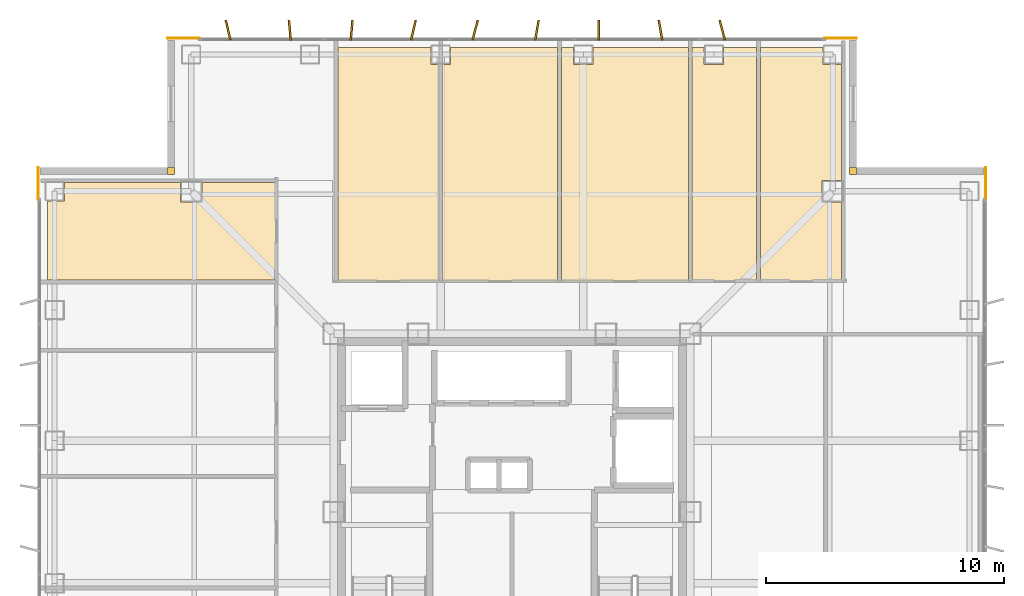
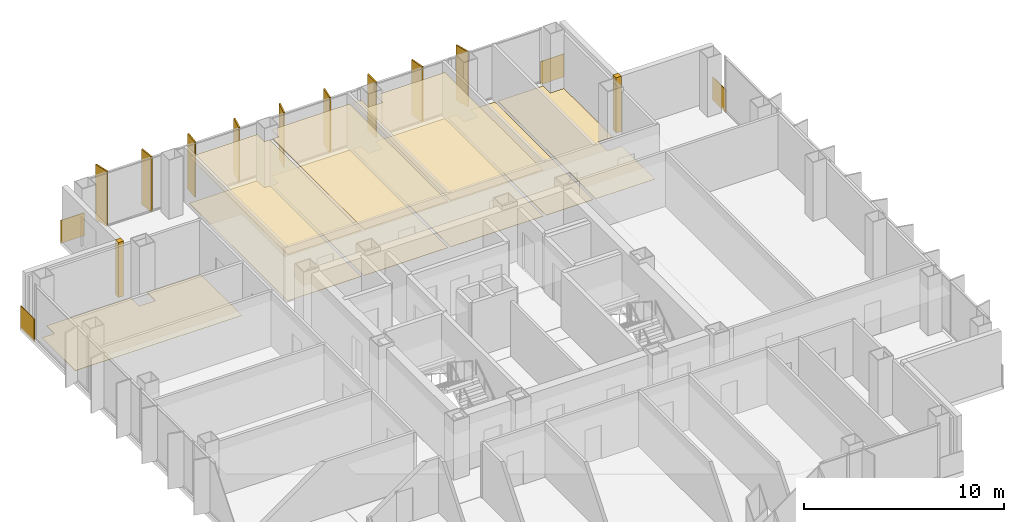
# One storey, part 18 of 18: 15 coverings, 9 shading devices.
"""IFC4 building model written with IfcOpenShell, lengths in metres."""

import ifcopenshell
import ifcopenshell.guid

model = None  # the IFC model being written
_history = None  # IfcOwnerHistory: only IFC2X3 demands one
_inside = {}  # id of a spatial element -> (the spatial element, [elements in it])
_under = {}  # id of a project, library or spatial element -> (it, [spatial elements below it])
_declared = {}  # id of a project -> (the project, [libraries it declares])
_typed = {}  # id of a type object -> (the type object, [elements of that type])
_made_of = {}  # id of a material, layer set ... -> (it, [elements and type objects made of it])


def new_model(schema):
    """Start an empty IFC model of exactly this schema.

    Asked for "IFC4X3", IfcOpenShell would pick the latest addendum, in which some entities
    have other attributes; the version numbers below select the first issue.
    IFC2X3 requires an IfcOwnerHistory on every rooted entity: one is made here for all.
    """
    global model, _history
    if schema == "IFC4X3":
        model = ifcopenshell.file(schema_version=(4, 3, 0, 0))
    else:
        model = ifcopenshell.file(schema=schema)
    _inside.clear()
    _under.clear()
    _declared.clear()
    _typed.clear()
    _made_of.clear()
    _history = None
    if model.schema == "IFC2X3":
        org = make("IfcOrganization", Name="unknown")
        user = make(
            "IfcPersonAndOrganization",
            ThePerson=make("IfcPerson", FamilyName="unknown"),
            TheOrganization=org,
        )
        app = make(
            "IfcApplication",
            ApplicationDeveloper=org,
            Version="unknown",
            ApplicationFullName="unknown",
            ApplicationIdentifier="unknown",
        )
        _history = make(
            "IfcOwnerHistory",
            OwningUser=user,
            OwningApplication=app,
            ChangeAction="ADDED",
            CreationDate=0,
        )
    return model


def make(cls, **values):
    """One entity of the class cls with the attributes given. An attribute that is None is left unset."""
    return model.create_entity(
        cls, **{name: value for name, value in values.items() if value is not None}
    )


def rooted(cls, **values):
    """An entity with a GlobalId (a new one), such as an element, a storey or a relation."""
    return make(cls, GlobalId=ifcopenshell.guid.new(), OwnerHistory=_history, **values)


def si_unit(unit_type, name, prefix=None):
    """IfcSIUnit, for example si_unit("LENGTHUNIT", "METRE", prefix="MILLI")."""
    return make("IfcSIUnit", UnitType=unit_type, Prefix=prefix, Name=name)


def assignment(units):
    """IfcUnitAssignment: the units of a project."""
    return None if units is None else make("IfcUnitAssignment", Units=units)


def point(xyz):
    """IfcCartesianPoint."""
    return None if xyz is None else make("IfcCartesianPoint", Coordinates=xyz)


def direction(xyz):
    """IfcDirection."""
    return None if xyz is None else make("IfcDirection", DirectionRatios=xyz)


def frame(location, z_axis=None, x_axis=None):
    """IfcAxis2Placement3D, a coordinate frame: its origin and axes. An axis left out is left unset."""
    return make(
        "IfcAxis2Placement3D",
        Location=point(location),
        Axis=direction(z_axis),
        RefDirection=direction(x_axis),
    )


def frame_2d(location, x_axis=None):
    """IfcAxis2Placement2D, a coordinate frame in the plane: its origin and x axis."""
    return make(
        "IfcAxis2Placement2D", Location=point(location), RefDirection=direction(x_axis)
    )


def origin():
    """The frame at (0, 0, 0) with its axes left unset."""
    return frame((0.0, 0.0, 0.0))


def origin_2d():
    """The frame at (0, 0) in the plane with its x axis left unset."""
    return frame_2d((0.0, 0.0))


def place(relative_to, where):
    """IfcLocalPlacement: puts the frame where relative to a parent placement (None: the world)."""
    return make(
        "IfcLocalPlacement", PlacementRelTo=relative_to, RelativePlacement=where
    )


def context(
    kind, dimensions, precision=None, world=None, true_north=None, identifier=None
):
    """IfcGeometricRepresentationContext, for example the 3D "Model" context."""
    return make(
        "IfcGeometricRepresentationContext",
        ContextIdentifier=identifier,
        ContextType=kind,
        CoordinateSpaceDimension=dimensions,
        Precision=precision,
        WorldCoordinateSystem=world,
        TrueNorth=true_north,
    )


def subcontext(parent, identifier, kind, view, scale=None):
    """IfcGeometricRepresentationSubContext, for example "Body" below "Model"."""
    return make(
        "IfcGeometricRepresentationSubContext",
        ContextIdentifier=identifier,
        ContextType=kind,
        ParentContext=parent,
        TargetScale=scale,
        TargetView=view,
    )


def project(units=None, contexts=None):
    """IfcProject with its units and contexts."""
    return rooted(
        "IfcProject",
        Name="project",
        RepresentationContexts=contexts,
        UnitsInContext=assignment(units),
    )


def spatial(cls, under=None, at=None, **own):
    """A site, building, storey or space (cls), placed at a placement, below another one or the project."""
    s = rooted(cls, ObjectPlacement=at, **own)
    if under is not None:
        _under.setdefault(under.id(), (under, []))[1].append(s)
    return s


def polyline(points):
    """IfcPolyline through the points."""
    return make("IfcPolyline", Points=[point(p) for p in points])


def profile(cls, at=None, kind="AREA", **sizes):
    """A parametric profile (cls). Its sizes go by their IFC names, for example OverallWidth=200.0."""
    return make(cls, ProfileType=kind, Position=at, **sizes)


def rectangle(**sizes):
    """IfcRectangleProfileDef."""
    return profile("IfcRectangleProfileDef", **sizes)


def outline(outer, holes=None, kind="AREA"):
    """IfcArbitraryClosedProfileDef: a profile drawn as a closed curve; with holes, ...WithVoids."""
    if holes is None:
        return make("IfcArbitraryClosedProfileDef", ProfileType=kind, OuterCurve=outer)
    return make(
        "IfcArbitraryProfileDefWithVoids",
        ProfileType=kind,
        OuterCurve=outer,
        InnerCurves=holes,
    )


def extrude(swept, where, along, depth):
    """IfcExtrudedAreaSolid: the profile swept, set in the frame where, extruded along a direction by depth."""
    return make(
        "IfcExtrudedAreaSolid",
        SweptArea=swept,
        Position=where,
        ExtrudedDirection=direction(along),
        Depth=depth,
    )


def shape(context_of_items, identifier, shape_type, items):
    """IfcShapeRepresentation: the items that make up one representation, for example the "Body"."""
    return make(
        "IfcShapeRepresentation",
        ContextOfItems=context_of_items,
        RepresentationIdentifier=identifier,
        RepresentationType=shape_type,
        Items=items,
    )


def material(Name=None, Category=None):
    """IfcMaterial."""
    return make("IfcMaterial", Name=Name, Category=Category)


def layer(
    of_material, thickness, ventilated=None, Name=None, Category=None, Priority=None
):
    """IfcMaterialLayer: one layer of a wall or slab, of a material (None: an air gap)."""
    return make(
        "IfcMaterialLayer",
        Material=of_material,
        LayerThickness=thickness,
        IsVentilated=ventilated,
        Name=Name,
        Category=Category,
        Priority=Priority,
    )


def layer_set(layers, Name=None):
    """IfcMaterialLayerSet."""
    return make("IfcMaterialLayerSet", MaterialLayers=layers, LayerSetName=Name)


def made_of(thing, what):
    """Note that an element or type object is made of a material, layer set ...; save() writes the relation."""
    if what is not None:
        _made_of.setdefault(what.id(), (what, []))[1].append(thing)
    return thing


def type_object(cls, material=None, **own):
    """A type object (cls), such as IfcWallType, which elements share."""
    return made_of(rooted(cls, **own), material)


def element(
    cls,
    number,
    at=None,
    inside=None,
    cuts=None,
    type_object=None,
    material=None,
    context=None,
    identifier="Body",
    shape_type=None,
    held_by="IfcProductDefinitionShape",
    body=None,
    shapes=None,
    **own,
):
    """One element of the class cls, such as IfcWall. Its Tag is "e" and its number.

    at: its placement. inside: the storey or other place that contains it. cuts: it is an
    opening in that element (IfcRelVoidsElement). A single representation is given by context,
    identifier, shape_type and body (its items); several are given by shapes. held_by: the class
    of the entity that holds the representations. save() writes the other relations.
    """
    e = rooted(cls, Tag="e%d" % number, ObjectPlacement=at, **own)
    if body is not None:
        shapes = [shape(context, identifier, shape_type, body)]
    if shapes is not None:
        e.Representation = make(held_by, Representations=shapes)
    if inside is not None:
        _inside.setdefault(inside.id(), (inside, []))[1].append(e)
    if cuts is not None:
        rooted(
            "IfcRelVoidsElement", RelatingBuildingElement=cuts, RelatedOpeningElement=e
        )
    if type_object is not None:
        _typed.setdefault(type_object.id(), (type_object, []))[1].append(e)
    return made_of(e, material)


def aggregate(whole, parts):
    """IfcRelAggregates: a whole, such as a stair, and the parts it consists of."""
    return rooted("IfcRelAggregates", RelatingObject=whole, RelatedObjects=parts)


def save(model, path):
    """Write the relations noted so far, then the file.

    IfcRelAggregates (storeys below a building ...), IfcRelContainedInSpatialStructure (elements
    in a storey), IfcRelDefinesByType, IfcRelAssociatesMaterial and IfcRelDeclares: one each for
    every whole, place, type object, material and project.
    """
    for whole, parts in _under.values():
        aggregate(whole, parts)
    for where, things in _inside.values():
        rooted(
            "IfcRelContainedInSpatialStructure",
            RelatedElements=things,
            RelatingStructure=where,
        )
    for kind, things in _typed.values():
        rooted("IfcRelDefinesByType", RelatedObjects=things, RelatingType=kind)
    for what, things in _made_of.values():
        rooted("IfcRelAssociatesMaterial", RelatedObjects=things, RelatingMaterial=what)
    for by, libraries in _declared.values():
        rooted("IfcRelDeclares", RelatingContext=by, RelatedDefinitions=libraries)
    model.write(path)


model = new_model("IFC4")

# Units and contexts
model_context = context("Model", 3, precision=1e-05, world=origin(), true_north=direction((0.0, 1.0)))
body_context = subcontext(model_context, "Body", "Model", "MODEL_VIEW")
ifc_project = project(units=[si_unit("LENGTHUNIT", "METRE"), si_unit("AREAUNIT", "SQUARE_METRE"), si_unit("VOLUMEUNIT", "CUBIC_METRE"), si_unit("PLANEANGLEUNIT", "RADIAN"), si_unit("MASSUNIT", "GRAM", prefix="KILO")], contexts=[model_context])

# Site, building, storey
site_placement = place(None, origin())
site = spatial("IfcSite", under=ifc_project, at=site_placement, CompositionType="ELEMENT")
building_placement = place(site_placement, origin())
building = spatial("IfcBuilding", under=site, at=building_placement, Name="Trevonay Congress Spire", CompositionType="ELEMENT")
storey_placement = place(building_placement, frame((0.0, 0.0, 173.39990234375)))
storey = spatial("IfcBuildingStorey", under=building, at=storey_placement, Name="L44", CompositionType="ELEMENT", Elevation=173.39990234375)

# Coverings
ifc_material_1 = material(Name="Acoustic Mineral Fibre Board", Category="gypsum")
ifc_layer_1 = layer(ifc_material_1, 0.02490234375, Name="Acoustic Mineral Fibre Board")
ifc_layer_set_1 = layer_set([ifc_layer_1], Name="Acoustic Mineral Fibre Board")
covering_type_1 = type_object("IfcCoveringType", Name="COV-CEIL-ACOUSTIC", PredefinedType="CEILING", material=ifc_layer_set_1)
covering_1_placement = place(storey_placement, frame((0.0, 0.0, 2.81005859375)))
element("IfcCovering", 1, at=covering_1_placement, inside=storey, type_object=covering_type_1, Name="L44 Tax Counsel Office 8 acoustic suspended ceiling", PredefinedType="CEILING", context=body_context, shape_type="SweptSolid", body=[
    extrude(outline(polyline([(-3.080078125, 9.72998046875), (-7.320068359375, 9.72998046875), (-7.320068359375, 19.550048828125), (-3.409912109375, 19.550048828125), (-3.409912109375, 18.840087890625), (-3.080078125, 18.840087890625), (-3.080078125, 9.72998046875)])), origin(), (0.0, 0.0, 1.0), 0.025146484375),
])
covering_2_placement = place(storey_placement, frame((0.0, 0.0, 2.81005859375)))
element("IfcCovering", 2, at=covering_2_placement, inside=storey, type_object=covering_type_1, Name="L44 Compliance Office 9 acoustic suspended ceiling", PredefinedType="CEILING", context=body_context, shape_type="SweptSolid", body=[
    extrude(outline(polyline([(1.919921875, 19.550048828125), (1.919921875, 9.72998046875), (-2.919921875, 9.72998046875), (-2.919921875, 18.840087890625), (-2.590087890625, 18.840087890625), (-2.590087890625, 19.550048828125), (1.919921875, 19.550048828125)])), origin(), (0.0, 0.0, 1.0), 0.025146484375),
])
covering_3_placement = place(storey_placement, frame((0.0, 0.0, 2.81005859375)))
element("IfcCovering", 3, at=covering_3_placement, inside=storey, type_object=covering_type_1, Name="L44 Billing Office 10 acoustic suspended ceiling", PredefinedType="CEILING", context=body_context, shape_type="SweptSolid", body=[
    extrude(outline(polyline([(7.419921875, 19.550048828125), (7.419921875, 9.72998046875), (2.080078125, 9.72998046875), (2.080078125, 19.550048828125), (2.590087890625, 19.550048828125), (2.590087890625, 18.840087890625), (3.409912109375, 18.840087890625), (3.409912109375, 19.550048828125), (7.419921875, 19.550048828125)])), origin(), (0.0, 0.0, 1.0), 0.025146484375),
])
ifc_material_2 = material(Name="Polished Granite Floor Tile", Category="masonry")
ifc_layer_2 = layer(ifc_material_2, 0.02001953125, Name="Polished Granite Floor Tile")
ifc_layer_set_2 = layer_set([ifc_layer_2], Name="Polished Granite Floor Tile")
covering_type_2 = type_object("IfcCoveringType", Name="COV-FLOOR-STONE", PredefinedType="FLOORING", material=ifc_layer_set_2)
covering_4_placement = place(storey_placement, origin())
element("IfcCovering", 4, at=covering_4_placement, inside=storey, type_object=covering_type_2, Name="L44 Floor Supplies and Copy Room floor finish", PredefinedType="FLOORING", context=body_context, shape_type="SweptSolid", body=[
    extrude(outline(polyline([(-9.929931640625, 13.8701171875), (-9.929931640625, 9.760009765625), (-19.550048828125, 9.760009765625), (-19.550048828125, 13.090087890625), (-18.840087890625, 13.090087890625), (-18.840087890625, 13.8701171875), (-13.9599609375, 13.8701171875), (-13.9599609375, 13.0400390625), (-13.0400390625, 13.0400390625), (-13.0400390625, 13.8701171875), (-9.929931640625, 13.8701171875)])), origin(), (0.0, 0.0, 1.0), 0.02001953125),
])
covering_5_placement = place(storey_placement, origin())
element("IfcCovering", 5, at=covering_5_placement, inside=storey, type_object=covering_type_2, Name="L44 Female Restroom WC floor finish", PredefinedType="FLOORING", context=body_context, shape_type="SweptSolid", body=[
    extrude(outline(polyline([(10.300048828125, 19.550048828125), (10.300048828125, 9.72998046875), (7.580078125, 9.72998046875), (7.580078125, 19.550048828125), (8.090087890625, 19.550048828125), (8.090087890625, 18.840087890625), (8.909912109375, 18.840087890625), (8.909912109375, 19.550048828125), (10.300048828125, 19.550048828125)])), origin(), (0.0, 0.0, 1.0), 0.02001953125),
])
covering_6_placement = place(storey_placement, origin())
element("IfcCovering", 6, at=covering_6_placement, inside=storey, type_object=covering_type_2, Name="L44 Floor Supplies and Copy Room floor finish", PredefinedType="FLOORING", context=body_context, shape_type="SweptSolid", body=[
    extrude(outline(polyline([(13.8701171875, 9.72998046875), (10.4599609375, 9.72998046875), (10.4599609375, 19.550048828125), (13.090087890625, 19.550048828125), (13.090087890625, 18.840087890625), (13.8701171875, 18.840087890625), (13.8701171875, 13.9599609375), (13.0400390625, 13.9599609375), (13.0400390625, 13.0400390625), (13.8701171875, 13.0400390625), (13.8701171875, 9.72998046875)])), origin(), (0.0, 0.0, 1.0), 0.02001953125),
])
ifc_material_3 = material(Name="Engineered Oak Flooring", Category="wood")
ifc_layer_3 = layer(ifc_material_3, 0.01806640625, Name="Engineered Oak Flooring")
ifc_layer_set_3 = layer_set([ifc_layer_3], Name="Engineered Oak Flooring")
covering_type_3 = type_object("IfcCoveringType", Name="COV-FLOOR-TIMBER", PredefinedType="FLOORING", material=ifc_layer_set_3)
covering_7_placement = place(storey_placement, origin())
element("IfcCovering", 7, at=covering_7_placement, inside=storey, type_object=covering_type_3, Name="L44 Tax Counsel Office 8 floor finish", PredefinedType="FLOORING", context=body_context, shape_type="SweptSolid", body=[
    extrude(outline(polyline([(-3.080078125, 9.72998046875), (-7.320068359375, 9.72998046875), (-7.320068359375, 19.550048828125), (-3.409912109375, 19.550048828125), (-3.409912109375, 18.840087890625), (-3.080078125, 18.840087890625), (-3.080078125, 9.72998046875)])), origin(), (0.0, 0.0, 1.0), 0.01806640625),
])
covering_8_placement = place(storey_placement, origin())
element("IfcCovering", 8, at=covering_8_placement, inside=storey, type_object=covering_type_3, Name="L44 Compliance Office 9 floor finish", PredefinedType="FLOORING", context=body_context, shape_type="SweptSolid", body=[
    extrude(outline(polyline([(1.919921875, 19.550048828125), (1.919921875, 9.72998046875), (-2.919921875, 9.72998046875), (-2.919921875, 18.840087890625), (-2.590087890625, 18.840087890625), (-2.590087890625, 19.550048828125), (1.919921875, 19.550048828125)])), origin(), (0.0, 0.0, 1.0), 0.01806640625),
])
covering_9_placement = place(storey_placement, origin())
element("IfcCovering", 9, at=covering_9_placement, inside=storey, type_object=covering_type_3, Name="L44 Billing Office 10 floor finish", PredefinedType="FLOORING", context=body_context, shape_type="SweptSolid", body=[
    extrude(outline(polyline([(7.419921875, 19.550048828125), (7.419921875, 9.72998046875), (2.080078125, 9.72998046875), (2.080078125, 19.550048828125), (2.590087890625, 19.550048828125), (2.590087890625, 18.840087890625), (3.409912109375, 18.840087890625), (3.409912109375, 19.550048828125), (7.419921875, 19.550048828125)])), origin(), (0.0, 0.0, 1.0), 0.01806640625),
])
ifc_material_4 = material(Name="Pale Anodised Aluminium EN AW-6063-T6", Category="aluminium")
ifc_layer_4 = layer(ifc_material_4, 0.0400390625, Name="Pale Anodised Aluminium EN AW-6063-T6")
ifc_layer_set_4 = layer_set([ifc_layer_4], Name="Pale Anodised Aluminium EN AW-6063-T6")
covering_type_4 = type_object("IfcCoveringType", Name="COV-SPANDREL-PALE-METAL", PredefinedType="CLADDING", material=ifc_layer_set_4)
covering_10_placement = place(storey_placement, origin())
element("IfcCovering", 10, at=covering_10_placement, inside=storey, type_object=covering_type_4, Name="L44 NE re-entrant notch corner closure trim", PredefinedType="CLADDING", context=body_context, shape_type="SweptSolid", body=[
    extrude(outline(polyline([(14.199951171875, 14.199951171875), (14.5, 14.199951171875), (14.5, 14.5), (14.199951171875, 14.5), (14.199951171875, 14.199951171875)])), origin(), (0.0, 0.0, 1.0), 3.360107421875),
])
for number, where, z_axis, x_axis, name in (
    (11, (19.93994140625, 13.14990234375, -0.14990234375), (0.0, 0.0, 1.0), (0.0, 1.0, 0.0), "L44 NE corner pier spandrel cladding 1"),
    (12, (13.14990234375, 19.93994140625, -0.14990234375), (0.0, 0.0, 1.0), (1.0, 0.0, 0.0), "L44 NE corner pier spandrel cladding 2"),
):
    element("IfcCovering", number, at=place(storey_placement, frame(where, z_axis=z_axis, x_axis=x_axis)), inside=storey, type_object=covering_type_4, Name=name, PredefinedType="CLADDING", context=body_context, shape_type="SweptSolid", body=[
        extrude(rectangle(XDim=1.35009765625, YDim=0.0400390625, at=frame_2d((0.675048828125, 0.0))), origin(), (0.0, 0.0, 1.0), 1.39990234375),
    ])
covering_11_placement = place(storey_placement, origin())
element("IfcCovering", 13, at=covering_11_placement, inside=storey, type_object=covering_type_4, Name="L44 NW re-entrant notch corner closure trim", PredefinedType="CLADDING", context=body_context, shape_type="SweptSolid", body=[
    extrude(outline(polyline([(-14.5, 14.199951171875), (-14.199951171875, 14.199951171875), (-14.199951171875, 14.5), (-14.5, 14.5), (-14.5, 14.199951171875)])), origin(), (0.0, 0.0, 1.0), 3.360107421875),
])
for number, where, z_axis, x_axis, name in (
    (14, (-19.93994140625, 13.14990234375, -0.14990234375), (0.0, 0.0, 1.0), (0.0, 1.0, 0.0), "L44 NW corner pier spandrel cladding 1"),
    (15, (-13.14990234375, 19.93994140625, -0.14990234375), (0.0, 0.0, 1.0), (-1.0, 0.0, 0.0), "L44 NW corner pier spandrel cladding 2"),
):
    element("IfcCovering", number, at=place(storey_placement, frame(where, z_axis=z_axis, x_axis=x_axis)), inside=storey, type_object=covering_type_4, Name=name, PredefinedType="CLADDING", context=body_context, shape_type="SweptSolid", body=[
        extrude(rectangle(XDim=1.35009765625, YDim=0.0400390625, at=frame_2d((0.675048828125, 0.0))), origin(), (0.0, 0.0, 1.0), 1.39990234375),
    ])

# Shading devices
shading_device_type = type_object("IfcShadingDeviceType", Name="SHD-FIN-Z3-PALE-METAL", PredefinedType="USERDEFINED", material=ifc_material_4)
for number, where, z_axis, x_axis, name in (
    (16, (-11.949951171875, 20.280029296875, 0.0), (0.0, 0.0, 1.0), (0.97440931131, 0.224780991261, 0.0), "L44 N vertical pale-metal solar fin 1"),
    (17, (-9.35009765625, 20.280029296875, 0.0), (0.0, 0.0, 1.0), (0.995994383933, 0.089415810539, 0.0), "L44 N vertical pale-metal solar fin 2"),
    (18, (-6.75, 20.280029296875, 0.0), (0.0, 0.0, 1.0), (0.995994383933, -0.089415810539, 0.0), "L44 N vertical pale-metal solar fin 3"),
    (19, (-4.14990234375, 20.280029296875, 0.0), (0.0, 0.0, 1.0), (0.97440931131, -0.224780991261, 0.0), "L44 N vertical pale-metal solar fin 4"),
    (20, (-1.550048828125, 20.280029296875, 0.0), (0.0, 0.0, 1.0), (0.966957007154, -0.2549394954, 0.0), "L44 N vertical pale-metal solar fin 5"),
    (21, (1.050048828125, 20.280029296875, 0.0), (0.0, 0.0, 1.0), (0.98587937025, -0.16745706111, 0.0), "L44 N vertical pale-metal solar fin 6"),
    (22, (3.64990234375, 20.280029296875, 0.0), (0.0, 0.0, 1.0), (1.0, 0.0, 0.0), "L44 N vertical pale-metal solar fin 7"),
    (23, (6.25, 20.280029296875, 0.0), (0.0, 0.0, 1.0), (0.98587937025, 0.16745706111, 0.0), "L44 N vertical pale-metal solar fin 8"),
    (24, (8.85009765625, 20.280029296875, 0.0), (0.0, 0.0, 1.0), (0.966957007154, 0.2549394954, 0.0), "L44 N vertical pale-metal solar fin 9"),
):
    element("IfcShadingDevice", number, at=place(storey_placement, frame(where, z_axis=z_axis, x_axis=x_axis)), inside=storey, type_object=shading_device_type, Name=name, ObjectType="SOLAR FIN", PredefinedType="USERDEFINED", context=body_context, shape_type="SweptSolid", body=[
        extrude(rectangle(XDim=0.080078125, YDim=0.85009765625, at=origin_2d()), origin(), (0.0, 0.0, 1.0), 3.360107421875),
    ])

save(model, "model.ifc")
